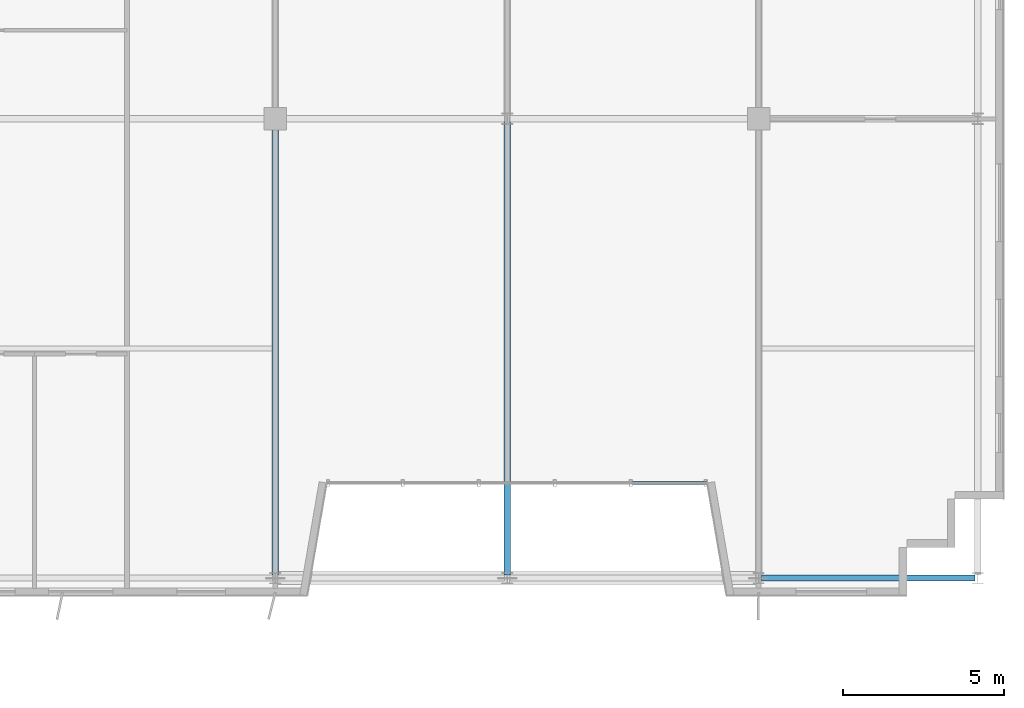
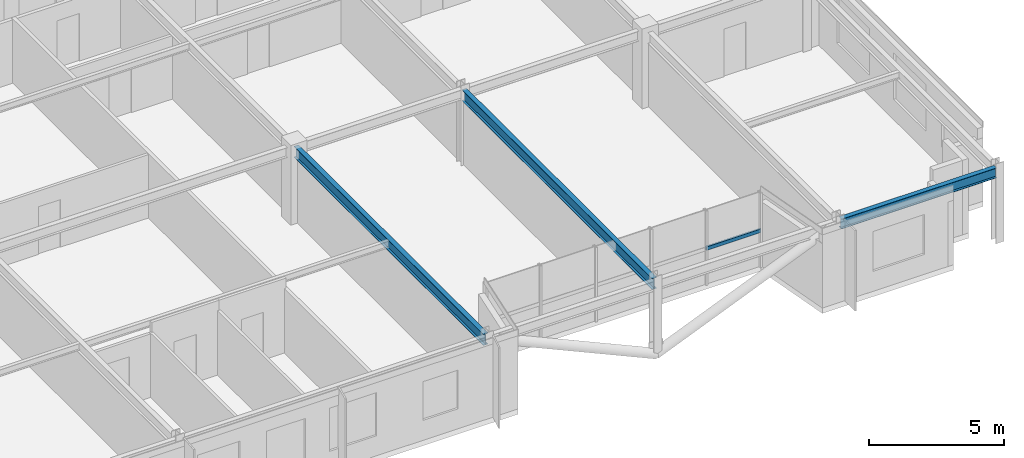
# One storey, part 7 of 27: 3 beams, 1 member, 1 element without a shape of its own.
"""IFC4 building model written with IfcOpenShell, lengths in metres."""

import ifcopenshell
import ifcopenshell.guid

model = None  # the IFC model being written
_history = None  # IfcOwnerHistory: only IFC2X3 demands one
_inside = {}  # id of a spatial element -> (the spatial element, [elements in it])
_under = {}  # id of a project, library or spatial element -> (it, [spatial elements below it])
_declared = {}  # id of a project -> (the project, [libraries it declares])
_typed = {}  # id of a type object -> (the type object, [elements of that type])
_made_of = {}  # id of a material, layer set ... -> (it, [elements and type objects made of it])


def new_model(schema):
    """Start an empty IFC model of exactly this schema.

    Asked for "IFC4X3", IfcOpenShell would pick the latest addendum, in which some entities
    have other attributes; the version numbers below select the first issue.
    IFC2X3 requires an IfcOwnerHistory on every rooted entity: one is made here for all.
    """
    global model, _history
    if schema == "IFC4X3":
        model = ifcopenshell.file(schema_version=(4, 3, 0, 0))
    else:
        model = ifcopenshell.file(schema=schema)
    _inside.clear()
    _under.clear()
    _declared.clear()
    _typed.clear()
    _made_of.clear()
    _history = None
    if model.schema == "IFC2X3":
        org = make("IfcOrganization", Name="unknown")
        user = make(
            "IfcPersonAndOrganization",
            ThePerson=make("IfcPerson", FamilyName="unknown"),
            TheOrganization=org,
        )
        app = make(
            "IfcApplication",
            ApplicationDeveloper=org,
            Version="unknown",
            ApplicationFullName="unknown",
            ApplicationIdentifier="unknown",
        )
        _history = make(
            "IfcOwnerHistory",
            OwningUser=user,
            OwningApplication=app,
            ChangeAction="ADDED",
            CreationDate=0,
        )
    return model


def make(cls, **values):
    """One entity of the class cls with the attributes given. An attribute that is None is left unset."""
    return model.create_entity(
        cls, **{name: value for name, value in values.items() if value is not None}
    )


def rooted(cls, **values):
    """An entity with a GlobalId (a new one), such as an element, a storey or a relation."""
    return make(cls, GlobalId=ifcopenshell.guid.new(), OwnerHistory=_history, **values)


def si_unit(unit_type, name, prefix=None):
    """IfcSIUnit, for example si_unit("LENGTHUNIT", "METRE", prefix="MILLI")."""
    return make("IfcSIUnit", UnitType=unit_type, Prefix=prefix, Name=name)


def assignment(units):
    """IfcUnitAssignment: the units of a project."""
    return None if units is None else make("IfcUnitAssignment", Units=units)


def point(xyz):
    """IfcCartesianPoint."""
    return None if xyz is None else make("IfcCartesianPoint", Coordinates=xyz)


def direction(xyz):
    """IfcDirection."""
    return None if xyz is None else make("IfcDirection", DirectionRatios=xyz)


def frame(location, z_axis=None, x_axis=None):
    """IfcAxis2Placement3D, a coordinate frame: its origin and axes. An axis left out is left unset."""
    return make(
        "IfcAxis2Placement3D",
        Location=point(location),
        Axis=direction(z_axis),
        RefDirection=direction(x_axis),
    )


def frame_2d(location, x_axis=None):
    """IfcAxis2Placement2D, a coordinate frame in the plane: its origin and x axis."""
    return make(
        "IfcAxis2Placement2D", Location=point(location), RefDirection=direction(x_axis)
    )


def origin():
    """The frame at (0, 0, 0) with its axes left unset."""
    return frame((0.0, 0.0, 0.0))


def origin_2d():
    """The frame at (0, 0) in the plane with its x axis left unset."""
    return frame_2d((0.0, 0.0))


def place(relative_to, where):
    """IfcLocalPlacement: puts the frame where relative to a parent placement (None: the world)."""
    return make(
        "IfcLocalPlacement", PlacementRelTo=relative_to, RelativePlacement=where
    )


def context(
    kind, dimensions, precision=None, world=None, true_north=None, identifier=None
):
    """IfcGeometricRepresentationContext, for example the 3D "Model" context."""
    return make(
        "IfcGeometricRepresentationContext",
        ContextIdentifier=identifier,
        ContextType=kind,
        CoordinateSpaceDimension=dimensions,
        Precision=precision,
        WorldCoordinateSystem=world,
        TrueNorth=true_north,
    )


def subcontext(parent, identifier, kind, view, scale=None):
    """IfcGeometricRepresentationSubContext, for example "Body" below "Model"."""
    return make(
        "IfcGeometricRepresentationSubContext",
        ContextIdentifier=identifier,
        ContextType=kind,
        ParentContext=parent,
        TargetScale=scale,
        TargetView=view,
    )


def project(units=None, contexts=None):
    """IfcProject with its units and contexts."""
    return rooted(
        "IfcProject",
        Name="project",
        RepresentationContexts=contexts,
        UnitsInContext=assignment(units),
    )


def spatial(cls, under=None, at=None, **own):
    """A site, building, storey or space (cls), placed at a placement, below another one or the project."""
    s = rooted(cls, ObjectPlacement=at, **own)
    if under is not None:
        _under.setdefault(under.id(), (under, []))[1].append(s)
    return s


def profile(cls, at=None, kind="AREA", **sizes):
    """A parametric profile (cls). Its sizes go by their IFC names, for example OverallWidth=200.0."""
    return make(cls, ProfileType=kind, Position=at, **sizes)


def hollow_rectangle(**sizes):
    """IfcRectangleHollowProfileDef."""
    return profile("IfcRectangleHollowProfileDef", **sizes)


def i_section(**sizes):
    """IfcIShapeProfileDef."""
    return profile("IfcIShapeProfileDef", **sizes)


def extrude(swept, where, along, depth):
    """IfcExtrudedAreaSolid: the profile swept, set in the frame where, extruded along a direction by depth."""
    return make(
        "IfcExtrudedAreaSolid",
        SweptArea=swept,
        Position=where,
        ExtrudedDirection=direction(along),
        Depth=depth,
    )


def shape(context_of_items, identifier, shape_type, items):
    """IfcShapeRepresentation: the items that make up one representation, for example the "Body"."""
    return make(
        "IfcShapeRepresentation",
        ContextOfItems=context_of_items,
        RepresentationIdentifier=identifier,
        RepresentationType=shape_type,
        Items=items,
    )


def source(mapping_origin, context_of_items, identifier, shape_type, items):
    """IfcRepresentationMap: a shape defined once, which mapped items show again and again."""
    return make(
        "IfcRepresentationMap",
        MappingOrigin=mapping_origin,
        MappedRepresentation=shape(context_of_items, identifier, shape_type, items),
    )


def transform(
    local_origin,
    x_axis=None,
    y_axis=None,
    z_axis=None,
    scale=None,
    scale2=None,
    scale3=None,
    uniform=True,
):
    """IfcCartesianTransformationOperator3D, or its non-uniform kind. x_axis, y_axis, z_axis: its Axis1, 2, 3."""
    if uniform:
        return make(
            "IfcCartesianTransformationOperator3D",
            Axis1=direction(x_axis),
            Axis2=direction(y_axis),
            LocalOrigin=point(local_origin),
            Scale=scale,
            Axis3=direction(z_axis),
        )
    return make(
        "IfcCartesianTransformationOperator3DnonUniform",
        Axis1=direction(x_axis),
        Axis2=direction(y_axis),
        LocalOrigin=point(local_origin),
        Scale=scale,
        Axis3=direction(z_axis),
        Scale2=scale2,
        Scale3=scale3,
    )


def mapped(mapping_source, mapping_target):
    """IfcMappedItem: shows the shape of a source again, moved by a transform."""
    return make(
        "IfcMappedItem", MappingSource=mapping_source, MappingTarget=mapping_target
    )


def material(Name=None, Category=None):
    """IfcMaterial."""
    return make("IfcMaterial", Name=Name, Category=Category)


def material_profile(
    of_material, cross_section, Name=None, Category=None, Priority=None
):
    """IfcMaterialProfile: a cross section and its material."""
    return make(
        "IfcMaterialProfile",
        Name=Name,
        Material=of_material,
        Profile=cross_section,
        Priority=Priority,
        Category=Category,
    )


def profile_set(profiles, Name=None, composite=None):
    """IfcMaterialProfileSet."""
    return make(
        "IfcMaterialProfileSet",
        Name=Name,
        MaterialProfiles=profiles,
        CompositeProfile=composite,
    )


def made_of(thing, what):
    """Note that an element or type object is made of a material, layer set ...; save() writes the relation."""
    if what is not None:
        _made_of.setdefault(what.id(), (what, []))[1].append(thing)
    return thing


def type_object(cls, material=None, **own):
    """A type object (cls), such as IfcWallType, which elements share."""
    return made_of(rooted(cls, **own), material)


def element(
    cls,
    number,
    at=None,
    inside=None,
    cuts=None,
    type_object=None,
    material=None,
    context=None,
    identifier="Body",
    shape_type=None,
    held_by="IfcProductDefinitionShape",
    body=None,
    shapes=None,
    **own,
):
    """One element of the class cls, such as IfcWall. Its Tag is "e" and its number.

    at: its placement. inside: the storey or other place that contains it. cuts: it is an
    opening in that element (IfcRelVoidsElement). A single representation is given by context,
    identifier, shape_type and body (its items); several are given by shapes. held_by: the class
    of the entity that holds the representations. save() writes the other relations.
    """
    e = rooted(cls, Tag="e%d" % number, ObjectPlacement=at, **own)
    if body is not None:
        shapes = [shape(context, identifier, shape_type, body)]
    if shapes is not None:
        e.Representation = make(held_by, Representations=shapes)
    if inside is not None:
        _inside.setdefault(inside.id(), (inside, []))[1].append(e)
    if cuts is not None:
        rooted(
            "IfcRelVoidsElement", RelatingBuildingElement=cuts, RelatedOpeningElement=e
        )
    if type_object is not None:
        _typed.setdefault(type_object.id(), (type_object, []))[1].append(e)
    return made_of(e, material)


def aggregate(whole, parts):
    """IfcRelAggregates: a whole, such as a stair, and the parts it consists of."""
    return rooted("IfcRelAggregates", RelatingObject=whole, RelatedObjects=parts)


def save(model, path):
    """Write the relations noted so far, then the file.

    IfcRelAggregates (storeys below a building ...), IfcRelContainedInSpatialStructure (elements
    in a storey), IfcRelDefinesByType, IfcRelAssociatesMaterial and IfcRelDeclares: one each for
    every whole, place, type object, material and project.
    """
    for whole, parts in _under.values():
        aggregate(whole, parts)
    for where, things in _inside.values():
        rooted(
            "IfcRelContainedInSpatialStructure",
            RelatedElements=things,
            RelatingStructure=where,
        )
    for kind, things in _typed.values():
        rooted("IfcRelDefinesByType", RelatedObjects=things, RelatingType=kind)
    for what, things in _made_of.values():
        rooted("IfcRelAssociatesMaterial", RelatedObjects=things, RelatingMaterial=what)
    for by, libraries in _declared.values():
        rooted("IfcRelDeclares", RelatingContext=by, RelatedDefinitions=libraries)
    model.write(path)


model = new_model("IFC4")

# Units and contexts
model_context = context("Model", 3, precision=1e-05, world=origin(), true_north=direction((0.0, 1.0)))
body_context = subcontext(model_context, "Body", "Model", "MODEL_VIEW")
ifc_project = project(units=[si_unit("LENGTHUNIT", "METRE"), si_unit("AREAUNIT", "SQUARE_METRE"), si_unit("VOLUMEUNIT", "CUBIC_METRE"), si_unit("PLANEANGLEUNIT", "RADIAN"), si_unit("MASSUNIT", "GRAM", prefix="KILO")], contexts=[model_context])

# Site, building, storey
site_placement = place(None, origin())
site = spatial("IfcSite", under=ifc_project, at=site_placement, CompositionType="ELEMENT")
building_placement = place(site_placement, origin())
building = spatial("IfcBuilding", under=site, at=building_placement, Name="Trelvane Seafront Commons", CompositionType="ELEMENT")
storey_placement = place(building_placement, frame((0.0, 0.0, 233.699951171875)))
storey = spatial("IfcBuildingStorey", under=building, at=storey_placement, Name="L61", CompositionType="ELEMENT", Elevation=233.699951171875)

# Beams
ifc_material_1 = material(Name="Steel SM355 (S355)", Category="steel")
ifc_material_profile_1 = material_profile(ifc_material_1, i_section(OverallWidth=0.199951171875, OverallDepth=0.449951171875, WebThickness=0.009033203125, FlangeThickness=0.013916015625, at=origin_2d()), Name="H-450x200x9x14")
ifc_profile_set_1 = profile_set([ifc_material_profile_1], Name="Steel SM355 (S355)")
beam_type_1 = type_object("IfcBeamType", Name="STR-SPD-H450", PredefinedType="SPANDREL", material=ifc_profile_set_1)
shared_shape_1 = source(origin(), body_context, "Body", "SweptSolid", [
    extrude(i_section(OverallWidth=0.199951171875, OverallDepth=0.449951171875, WebThickness=0.009033203125, FlangeThickness=0.013916015625, at=origin_2d()), origin(), (0.0, 0.0, 1.0), 6.625),
])
beam_1_placement = place(storey_placement, frame((58.887451171875, 3.949951171875, 3.135009765625), z_axis=(1.0, 0.0, 0.0), x_axis=(0.0, 1.0, 0.0)))
element("IfcBeam", 1, at=beam_1_placement, inside=storey, type_object=beam_type_1, Name="L61 Primary Girder G-07", PredefinedType="SPANDREL", context=body_context, shape_type="MappedRepresentation", body=[
    mapped(shared_shape_1, transform((0.0, 0.0, 0.0), x_axis=(1.0, 0.0, 0.0), y_axis=(0.0, 1.0, 0.0), z_axis=(0.0, 0.0, 1.0), scale=1.0)),
])
ifc_material_profile_2 = material_profile(ifc_material_1, i_section(OverallWidth=0.199951171875, OverallDepth=0.5, WebThickness=0.010009765625, FlangeThickness=0.01611328125, at=origin_2d()), Name="H-500x200x10x16")
ifc_profile_set_2 = profile_set([ifc_material_profile_2], Name="Steel SM355 (S355)")
beam_type_2 = type_object("IfcBeamType", Name="STR-BM-H500", PredefinedType="BEAM", material=ifc_profile_set_2)
shared_shape_2 = source(origin(), body_context, "Body", "SweptSolid", [
    extrude(i_section(OverallWidth=0.199951171875, OverallDepth=0.5, WebThickness=0.010009765625, FlangeThickness=0.01611328125, at=origin_2d()), origin(), (0.0, 0.0, 1.0), 14.074951171875),
])
beam_2_placement = place(storey_placement, frame((51.0, 4.03759765625, 3.110107421875), z_axis=(0.0, 1.0, 0.0), x_axis=(-1.0, 0.0, 0.0)))
element("IfcBeam", 2, at=beam_2_placement, inside=storey, type_object=beam_type_2, Name="L61 Primary Girder G-44", PredefinedType="BEAM", context=body_context, shape_type="MappedRepresentation", body=[
    mapped(shared_shape_2, transform((0.0, 0.0, 0.0), x_axis=(1.0, 0.0, 0.0), y_axis=(0.0, 1.0, 0.0), z_axis=(0.0, 0.0, 1.0), scale=1.0)),
])
shared_shape_3 = source(origin(), body_context, "Body", "SweptSolid", [
    extrude(i_section(OverallWidth=0.199951171875, OverallDepth=0.5, WebThickness=0.010009765625, FlangeThickness=0.01611328125, at=origin_2d()), origin(), (0.0, 0.0, 1.0), 14.012451171875),
])
beam_3_placement = place(storey_placement, frame((43.800048828125, 4.03759765625, 3.110107421875), z_axis=(0.0, 1.0, 0.0), x_axis=(-1.0, 0.0, 0.0)))
element("IfcBeam", 3, at=beam_3_placement, inside=storey, type_object=beam_type_2, Name="L61 Primary Girder G-41", PredefinedType="BEAM", context=body_context, shape_type="MappedRepresentation", body=[
    mapped(shared_shape_3, transform((0.0, 0.0, 0.0), x_axis=(1.0, 0.0, 0.0), y_axis=(0.0, 1.0, 0.0), z_axis=(0.0, 0.0, 1.0), scale=1.0)),
])

# Curtain wall, member
ifc_material_2 = material(Name="Anodised pale-silver aluminium", Category="aluminium")
curtain_wall_type = type_object("IfcCurtainWallType", Name="ARCH-CW3-PORTAL", PredefinedType="NOTDEFINED", material=ifc_material_2)
curtain_wall_placement = place(storey_placement, origin())
curtain_wall = element("IfcCurtainWall", 4, at=curtain_wall_placement, inside=storey, type_object=curtain_wall_type, Name="CW-L61-VN-0105", PredefinedType="NOTDEFINED")
ifc_material_profile_3 = material_profile(ifc_material_2, hollow_rectangle(XDim=0.080078125, YDim=0.159912109375, WallThickness=0.00439453125, at=origin_2d()), Name="TRAN-80x160x4.5")
ifc_profile_set_3 = profile_set([ifc_material_profile_3], Name="Anodised pale-silver aluminium")
member_type = type_object("IfcMemberType", Name="ARCH-CW-TRAN-160", PredefinedType="USERDEFINED", material=ifc_profile_set_3)
shared_shape_4 = source(origin(), body_context, "Body", "SweptSolid", [
    extrude(hollow_rectangle(XDim=0.080078125, YDim=0.159912109375, WallThickness=0.00439453125, at=origin_2d()), origin(), (0.0, 0.0, 1.0), 2.3359375),
])
member_placement = place(storey_placement, frame((57.18798828125, 6.89990234375, 1.613037109375), z_axis=(-1.0, 0.0, 0.0), x_axis=(0.0, -1.0, 0.0)))
member = element("IfcMember", 5, at=member_placement, type_object=member_type, Name="CW-L61-VN-0105-T00", ObjectType="TRANSOM", PredefinedType="USERDEFINED", context=body_context, shape_type="MappedRepresentation", body=[
    mapped(shared_shape_4, transform((0.0, 0.0, 0.0), x_axis=(1.0, 0.0, 0.0), y_axis=(0.0, 1.0, 0.0), z_axis=(0.0, 0.0, 1.0), scale=1.0)),
])
aggregate(curtain_wall, [member])

save(model, "model.ifc")
